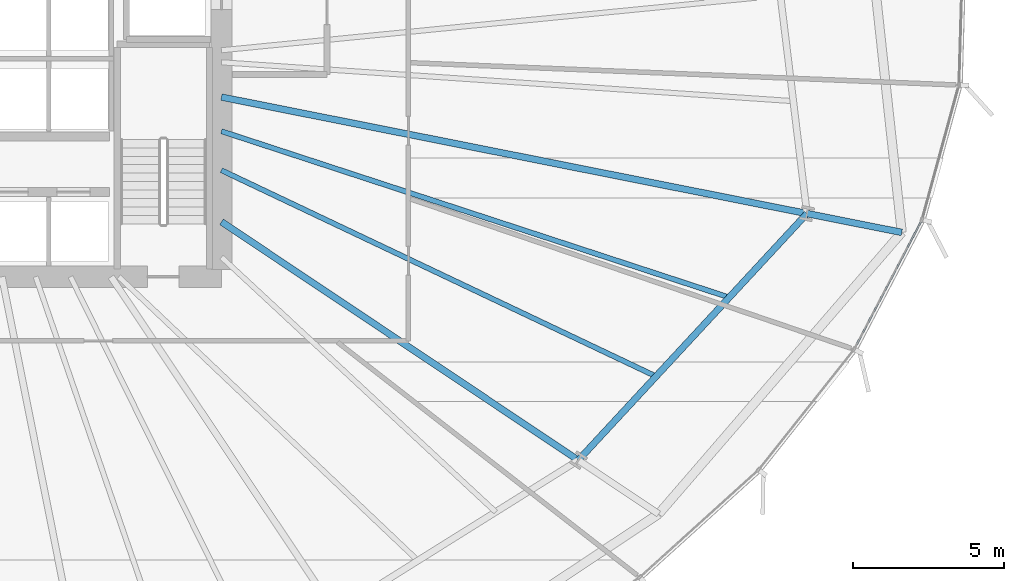
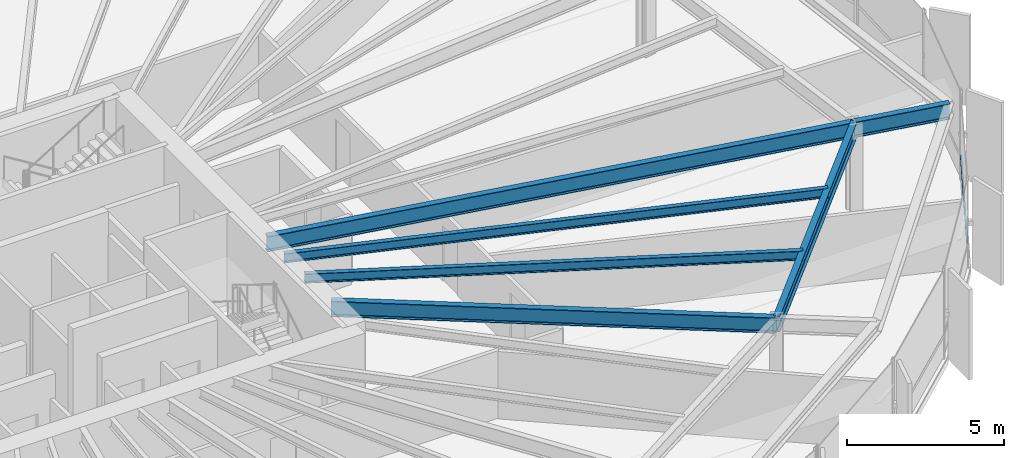
# One storey, part 15 of 38: 6 beams, 1 member, 1 element without a shape of its own.
"""IFC4 building model written with IfcOpenShell, lengths in metres."""

from ifc_helpers import new_model, si_unit, direction, frame, origin, origin_2d, place, context, subcontext, project, spatial, hollow_rectangle, i_section, extrude, source, transform, mapped, material, layer, layer_set, material_profile, profile_set, type_object, element, aggregate, save


model = new_model("IFC4")

# Units and contexts
model_context = context("Model", 3, precision=1e-05, world=origin(), true_north=direction((0.0, 1.0)))
body_context = subcontext(model_context, "Body", "Model", "MODEL_VIEW")
ifc_project = project(units=[si_unit("LENGTHUNIT", "METRE"), si_unit("AREAUNIT", "SQUARE_METRE"), si_unit("VOLUMEUNIT", "CUBIC_METRE"), si_unit("PLANEANGLEUNIT", "RADIAN"), si_unit("MASSUNIT", "GRAM", prefix="KILO"), si_unit("THERMODYNAMICTEMPERATUREUNIT", "KELVIN")], contexts=[model_context])

# Site, building, storey
site_placement = place(None, origin())
site = spatial("IfcSite", under=ifc_project, at=site_placement, CompositionType="ELEMENT")
building_placement = place(site_placement, origin())
building = spatial("IfcBuilding", under=site, at=building_placement, Name="Kethvar Cultural Tower", CompositionType="ELEMENT")
storey_placement = place(building_placement, frame((0.0, 0.0, 52.39990234375)))
storey = spatial("IfcBuildingStorey", under=building, at=storey_placement, Name="L12", CompositionType="ELEMENT", Elevation=52.39990234375)

# Beams
ifc_material_1 = material(Name="Steel S355J2", Category="steel")
ifc_material_profile_1 = material_profile(ifc_material_1, i_section(OverallWidth=0.219970703125, OverallDepth=0.60009765625, WebThickness=0.011962890625, FlangeThickness=0.01904296875, FilletRadius=0.02392578125, at=origin_2d()), Name="Steel S355J2 — IPE600")
ifc_profile_set_1 = profile_set([ifc_material_profile_1], Name="Steel S355J2 — IPE600")
beam_type_1 = type_object("IfcBeamType", Name="BM-IPE600", PredefinedType="BEAM", material=ifc_profile_set_1)
shared_shape_1 = source(origin(), body_context, "Body", "SweptSolid", [
    extrude(i_section(OverallWidth=0.219970703125, OverallDepth=0.60009765625, WebThickness=0.011962890625, FlangeThickness=0.01904296875, FilletRadius=0.02392578125, at=origin_2d()), origin(), (0.0, 0.0, 1.0), 3.199951171875),
])
beam_1_placement = place(storey_placement, frame((74.9912109375, 22.1923828125, 3.248046875), z_axis=(0.980785550224, -0.195088965533, 0.0), x_axis=(0.195088965533, 0.980785550224, 0.0)))
element("IfcBeam", 1, at=beam_1_placement, inside=storey, type_object=beam_type_1, Name="L12 Perimeter Cantilever Beam RC-16", PredefinedType="BEAM", context=body_context, shape_type="MappedRepresentation", body=[
    mapped(shared_shape_1, transform((0.0, 0.0, 0.0), scale=1.0)),
])
shared_shape_2 = source(origin(), body_context, "Body", "SweptSolid", [
    extrude(i_section(OverallWidth=0.219970703125, OverallDepth=0.60009765625, WebThickness=0.011962890625, FlangeThickness=0.01904296875, FilletRadius=0.02392578125, at=origin_2d()), origin(), (0.0, 0.0, 1.0), 14.2138671875),
])
beam_2_placement = place(storey_placement, frame((55.60009765625, 21.920166015625, 3.248046875), z_axis=(0.831463197362, -0.555579833537, 0.0), x_axis=(0.555579833537, 0.831463197362, 0.0)))
element("IfcBeam", 2, at=beam_2_placement, inside=storey, type_object=beam_type_1, Name="L12 Primary Radial Beam RB-15", PredefinedType="BEAM", context=body_context, shape_type="MappedRepresentation", body=[
    mapped(shared_shape_2, transform((0.0, 0.0, 0.0), scale=1.0)),
])
shared_shape_3 = source(origin(), body_context, "Body", "SweptSolid", [
    extrude(i_section(OverallWidth=0.219970703125, OverallDepth=0.60009765625, WebThickness=0.011962890625, FlangeThickness=0.01904296875, FilletRadius=0.02392578125, at=origin_2d()), origin(), (0.0, 0.0, 1.0), 19.77099609375),
])
beam_3_placement = place(storey_placement, frame((55.60009765625, 26.049560546875, 3.248046875), z_axis=(0.980784840197, -0.195092535068, 0.0), x_axis=(0.195092535068, 0.980784840197, 0.0)))
element("IfcBeam", 3, at=beam_3_placement, inside=storey, type_object=beam_type_1, Name="L12 Primary Radial Beam RB-16", PredefinedType="BEAM", context=body_context, shape_type="MappedRepresentation", body=[
    mapped(shared_shape_3, transform((0.0, 0.0, 0.0), scale=1.0)),
])
shared_shape_4 = source(origin(), body_context, "Body", "SweptSolid", [
    extrude(i_section(OverallWidth=0.219970703125, OverallDepth=0.60009765625, WebThickness=0.011962890625, FlangeThickness=0.01904296875, FilletRadius=0.02392578125, at=origin_2d()), origin(), (0.0, 0.0, 1.0), 11.13916015625),
])
beam_4_placement = place(storey_placement, frame((67.41845703125, 14.023193359375, 3.248046875), z_axis=(0.679827924457, 0.73337166098, 0.0), x_axis=(-0.73337166098, 0.679827924457, 0.0)))
element("IfcBeam", 4, at=beam_4_placement, inside=storey, type_object=beam_type_1, Name="L12 Column Ring Tie Beam CR-15", PredefinedType="BEAM", context=body_context, shape_type="MappedRepresentation", body=[
    mapped(shared_shape_4, transform((0.0, 0.0, 0.0), scale=1.0)),
])
ifc_material_profile_2 = material_profile(ifc_material_1, i_section(OverallWidth=0.169921875, OverallDepth=0.360107421875, WebThickness=0.008056640625, FlangeThickness=0.0126953125, FilletRadius=0.01806640625, at=origin_2d()), Name="Steel S355J2 — IPE360")
ifc_profile_set_2 = profile_set([ifc_material_profile_2], Name="Steel S355J2 — IPE360")
beam_type_2 = type_object("IfcBeamType", Name="BM-J360", PredefinedType="JOIST", material=ifc_profile_set_2)
shared_shape_5 = source(origin(), body_context, "Body", "SweptSolid", [
    extrude(i_section(OverallWidth=0.169921875, OverallDepth=0.360107421875, WebThickness=0.008056640625, FlangeThickness=0.0126953125, FilletRadius=0.01806640625, at=origin_2d()), origin(), (0.0, 0.0, 1.0), 15.9296875),
])
beam_5_placement = place(storey_placement, frame((55.60009765625, 23.626708984375, 3.3681640625), z_axis=(0.903539576646, -0.428504648089, 0.0), x_axis=(0.428504648089, 0.903539576646, 0.0)))
element("IfcBeam", 5, at=beam_5_placement, inside=storey, type_object=beam_type_2, Name="L12 Composite Floor Joist J-15A", PredefinedType="JOIST", context=body_context, shape_type="MappedRepresentation", body=[
    mapped(shared_shape_5, transform((0.0, 0.0, 0.0), scale=1.0)),
])
shared_shape_6 = source(origin(), body_context, "Body", "SweptSolid", [
    extrude(i_section(OverallWidth=0.169921875, OverallDepth=0.360107421875, WebThickness=0.008056640625, FlangeThickness=0.0126953125, FilletRadius=0.01806640625, at=origin_2d()), origin(), (0.0, 0.0, 1.0), 17.6943359375),
])
beam_6_placement = place(storey_placement, frame((55.60009765625, 24.91943359375, 3.3681640625), z_axis=(0.950378958587, -0.311094575773, 0.0), x_axis=(0.311094575773, 0.950378958587, 0.0)))
element("IfcBeam", 6, at=beam_6_placement, inside=storey, type_object=beam_type_2, Name="L12 Composite Floor Joist J-15B", PredefinedType="JOIST", context=body_context, shape_type="MappedRepresentation", body=[
    mapped(shared_shape_6, transform((0.0, 0.0, 0.0), scale=1.0)),
])

# Curtain wall, member
ifc_material_2 = material(Name="Aluminium 6063-T6", Category="aluminium")
ifc_layer = layer(ifc_material_2, 0.179931640625, Name="Aluminium 6063-T6", Category="aluminium")
ifc_layer_set = layer_set([ifc_layer], Name="Aluminium 6063-T6 (180 mm)")
curtain_wall_type = type_object("IfcCurtainWallType", Name="CW-SYS-02-Z1", PredefinedType="NOTDEFINED", material=ifc_layer_set)
curtain_wall_placement = place(storey_placement, origin())
curtain_wall = element("IfcCurtainWall", 7, at=curtain_wall_placement, inside=storey, type_object=curtain_wall_type, Name="L12 Curtain Wall Run 06", PredefinedType="NOTDEFINED")
ifc_material_profile_3 = material_profile(ifc_material_2, hollow_rectangle(XDim=0.054931640625, YDim=0.1201171875, WallThickness=0.00390625, at=origin_2d()), Name="Aluminium 6063-T6 — RHS120x55x4")
ifc_profile_set_3 = profile_set([ifc_material_profile_3], Name="Aluminium 6063-T6 — RHS120x55x4")
member_type = type_object("IfcMemberType", Name="CW-SYS-02-Z1-TRN", PredefinedType="USERDEFINED", material=ifc_profile_set_3)
shared_shape_7 = source(origin(), body_context, "Body", "SweptSolid", [
    extrude(hollow_rectangle(XDim=0.054931640625, YDim=0.1201171875, WallThickness=0.00390625, at=origin_2d()), origin(), (0.0, 0.0, 1.0), 4.777099609375),
])
member_placement = place(storey_placement, frame((76.5751953125, 17.73828125, 0.9501953125), z_axis=(0.463695684941, 0.885994532583, 0.0), x_axis=(-0.885994532583, 0.463695684941, 0.0)))
member = element("IfcMember", 8, at=member_placement, type_object=member_type, Name="CW-L12-R06 Transom 4", ObjectType="TRANSOM", PredefinedType="USERDEFINED", context=body_context, shape_type="MappedRepresentation", body=[
    mapped(shared_shape_7, transform((0.0, 0.0, 0.0), scale=1.0)),
])
aggregate(curtain_wall, [member])

save(model, "model.ifc")
